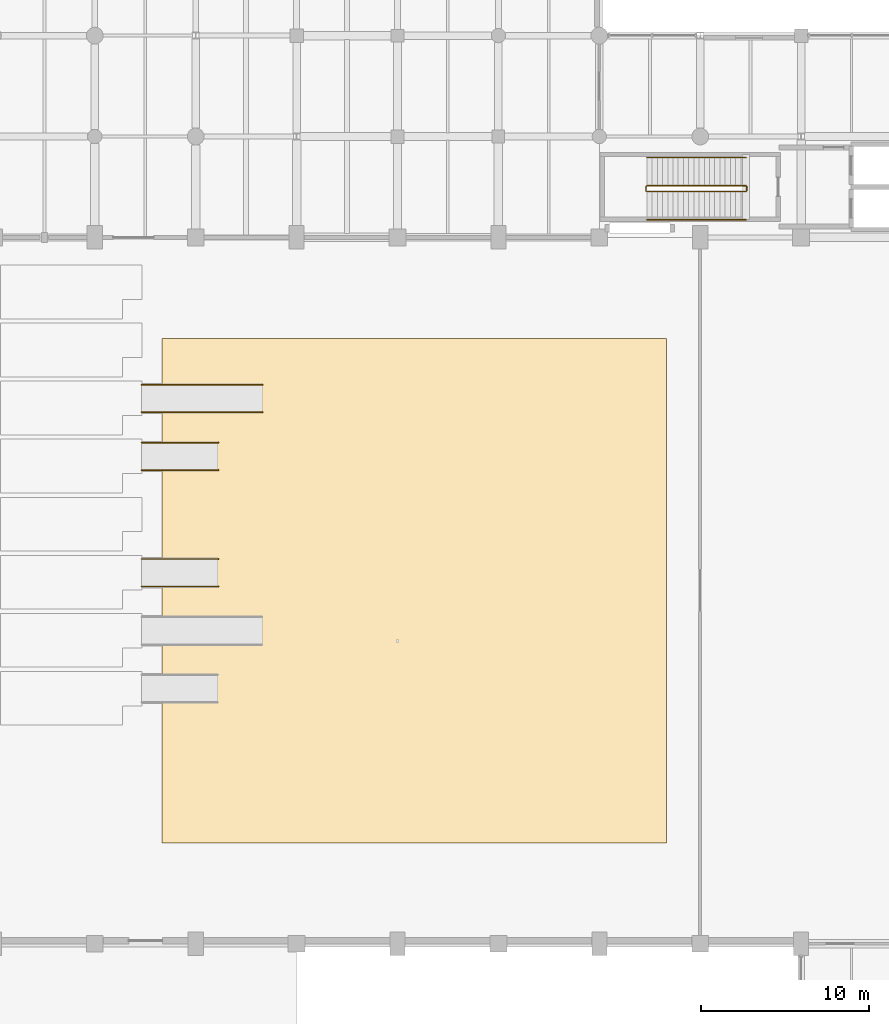
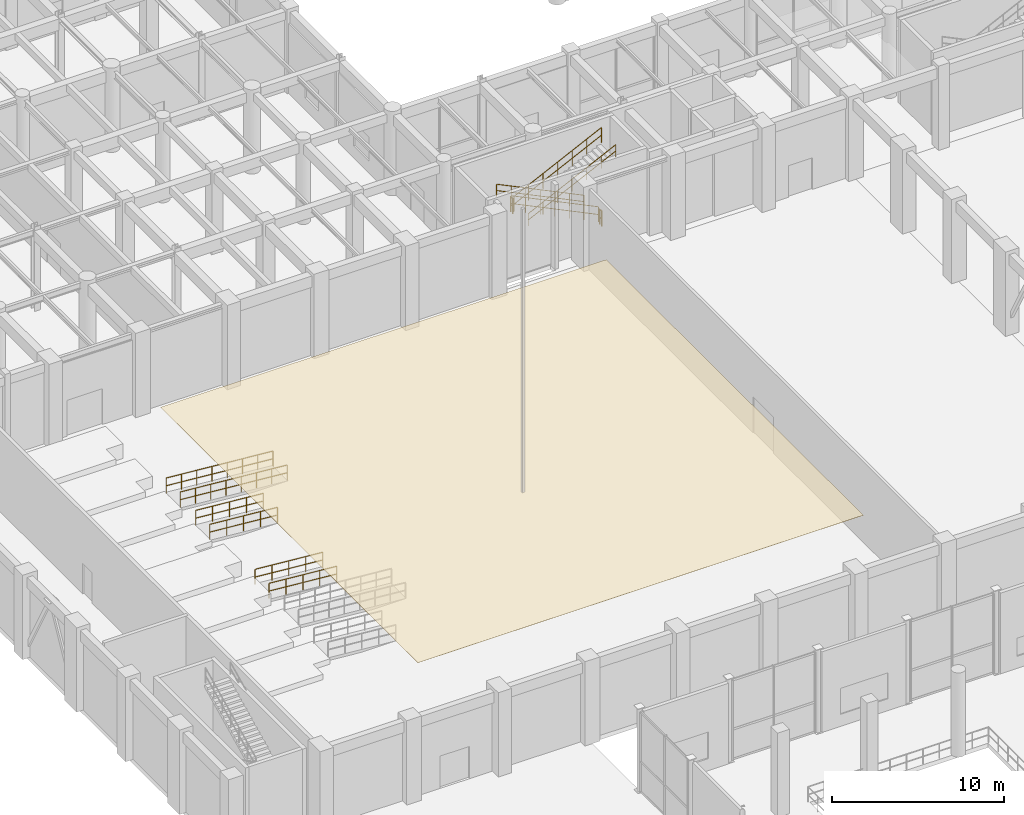
# One storey, part 102 of 106: 12 railings, 1 covering.
"""IFC4 building model written with IfcOpenShell, lengths in metres."""

from ifc_helpers import new_model, si_unit, direction, frame, origin, origin_2d, place, context, subcontext, project, spatial, polyline, circle, outline, extrude, material, layer, layer_set, type_object, element, save


model = new_model("IFC4")

# Units and contexts
model_context = context("Model", 3, precision=1e-05, world=origin(), true_north=direction((0.0, 1.0)))
body_context = subcontext(model_context, "Body", "Model", "MODEL_VIEW")
ifc_project = project(units=[si_unit("LENGTHUNIT", "METRE"), si_unit("AREAUNIT", "SQUARE_METRE"), si_unit("VOLUMEUNIT", "CUBIC_METRE"), si_unit("PLANEANGLEUNIT", "RADIAN"), si_unit("MASSUNIT", "GRAM", prefix="KILO"), si_unit("THERMODYNAMICTEMPERATUREUNIT", "KELVIN"), si_unit("POWERUNIT", "WATT")], contexts=[model_context])

# Site, building, storey
site_placement = place(None, origin())
site = spatial("IfcSite", under=ifc_project, at=site_placement, CompositionType="ELEMENT")
building_placement = place(site_placement, origin())
building = spatial("IfcBuilding", under=site, at=building_placement, Name="Phaisarnlok Congress Hotel", CompositionType="ELEMENT")
storey_placement = place(building_placement, origin())
storey = spatial("IfcBuildingStorey", under=building, at=storey_placement, Name="L00", CompositionType="ELEMENT", Elevation=0.0)

# Covering
ifc_material_1 = material(Name="Perforated Timber & Mineral-Fibre Acoustic Ceiling", Category="wood")
ifc_layer = layer(ifc_material_1, 0.01806640625, Name="Perforated Timber & Mineral-Fibre Acoustic Ceiling")
ifc_layer_set = layer_set([ifc_layer], Name="Perforated Timber & Mineral-Fibre Acoustic Ceiling")
covering_type = type_object("IfcCoveringType", Name="CLG-AC-18", PredefinedType="CEILING", material=ifc_layer_set)
covering_placement = place(storey_placement, frame((0.0, 0.0, 4.60009765625)))
element("IfcCovering", 1, at=covering_placement, inside=storey, type_object=covering_type, Name="Suspended ceiling CLG-01 (L00)", PredefinedType="CEILING", context=body_context, shape_type="SweptSolid", body=[
    extrude(outline(polyline([(46.0, 48.0), (16.0, 48.0), (16.0, 78.0), (46.0, 78.0), (46.0, 48.0)])), origin(), (0.0, 0.0, 1.0), 0.017822265625),
])

# Railings
ifc_material_2 = material(Name="Painted Galvanised Steel S275", Category="steel")
railing_type_1 = type_object("IfcRailingType", Name="RLG-STR-GUARD", PredefinedType="BALUSTRADE", material=ifc_material_2)
railing_1_placement = place(storey_placement, frame((50.719970703125, 87.070068359375, 0.14990234375)))
element("IfcRailing", 2, at=railing_1_placement, inside=storey, type_object=railing_type_1, Name="L00 ST-01 stair guard 1", PredefinedType="BALUSTRADE", context=body_context, shape_type="SweptSolid", body=[
    extrude(circle(Radius=0.02392578125, at=origin_2d()), frame((0.0, 0.0, 1.076171875), z_axis=(-0.900150285036, 0.0, 0.435579458135), x_axis=(0.0, -1.0, 0.0)), (0.0, 0.0, 1.0), 6.543212890625),
    extrude(circle(Radius=0.02392578125, at=origin_2d()), frame((0.0, 0.0, 0.52587890625), z_axis=(-0.900150285036, 0.0, 0.435579458135), x_axis=(0.0, -1.0, 0.0)), (0.0, 0.0, 1.0), 6.543212890625),
    extrude(circle(Radius=0.02099609375, at=origin_2d()), origin(), (0.0, 0.0, 1.0), 1.052001953125),
    extrude(circle(Radius=0.02099609375, at=origin_2d()), frame((-0.981689453125, 0.0, 0.47509765625)), (0.0, 0.0, 1.0), 1.052001953125),
    extrude(circle(Radius=0.02099609375, at=origin_2d()), frame((-1.96337890625, 0.0, 0.949951171875)), (0.0, 0.0, 1.0), 1.052001953125),
    extrude(circle(Radius=0.02099609375, at=origin_2d()), frame((-2.94482421875, 0.0, 1.425048828125)), (0.0, 0.0, 1.0), 1.052001953125),
    extrude(circle(Radius=0.02099609375, at=origin_2d()), frame((-3.926513671875, 0.0, 1.900146484375)), (0.0, 0.0, 1.0), 1.052001953125),
    extrude(circle(Radius=0.02099609375, at=origin_2d()), frame((-4.908203125, 0.0, 2.375)), (0.0, 0.0, 1.0), 1.052001953125),
    extrude(circle(Radius=0.02099609375, at=origin_2d()), frame((-5.889892578125, 0.0, 2.85009765625)), (0.0, 0.0, 1.0), 1.052001953125),
])
railing_2_placement = place(storey_placement, frame((44.780029296875, 87.02001953125, 3.0)))
element("IfcRailing", 3, at=railing_2_placement, inside=storey, type_object=railing_type_1, Name="L00 ST-01 stair guard 2", PredefinedType="BALUSTRADE", context=body_context, shape_type="SweptSolid", body=[
    extrude(circle(Radius=0.02392578125, at=origin_2d()), frame((0.0, 0.0, 1.076171875), z_axis=(0.0, -1.0, 0.0), x_axis=(1.0, 0.0, 0.0)), (0.0, 0.0, 1.0), 0.239990234375),
    extrude(circle(Radius=0.02392578125, at=origin_2d()), frame((0.0, 0.0, 0.52587890625), z_axis=(0.0, -1.0, 0.0), x_axis=(1.0, 0.0, 0.0)), (0.0, 0.0, 1.0), 0.239990234375),
    extrude(circle(Radius=0.02099609375, at=origin_2d()), origin(), (0.0, 0.0, 1.0), 1.052001953125),
    extrude(circle(Radius=0.02099609375, at=origin_2d()), frame((0.0, -0.239990234375, 0.0)), (0.0, 0.0, 1.0), 1.052001953125),
])
railing_3_placement = place(storey_placement, frame((44.830078125, 86.72998046875, 3.14990234375)))
element("IfcRailing", 4, at=railing_3_placement, inside=storey, type_object=railing_type_1, Name="L00 ST-01 stair guard 3", PredefinedType="BALUSTRADE", context=body_context, shape_type="SweptSolid", body=[
    extrude(circle(Radius=0.02392578125, at=origin_2d()), frame((0.0, 0.0, 1.076171875), z_axis=(0.900150285036, 0.0, 0.435579458135), x_axis=(0.0, 1.0, 0.0)), (0.0, 0.0, 1.0), 6.543212890625),
    extrude(circle(Radius=0.02392578125, at=origin_2d()), frame((0.0, 0.0, 0.52587890625), z_axis=(0.900150285036, 0.0, 0.435579458135), x_axis=(0.0, 1.0, 0.0)), (0.0, 0.0, 1.0), 6.543212890625),
    extrude(circle(Radius=0.02099609375, at=origin_2d()), origin(), (0.0, 0.0, 1.0), 1.052001953125),
    extrude(circle(Radius=0.02099609375, at=origin_2d()), frame((0.981689453125, 0.0, 0.47509765625)), (0.0, 0.0, 1.0), 1.052001953125),
    extrude(circle(Radius=0.02099609375, at=origin_2d()), frame((1.96337890625, 0.0, 0.949951171875)), (0.0, 0.0, 1.0), 1.052001953125),
    extrude(circle(Radius=0.02099609375, at=origin_2d()), frame((2.94482421875, 0.0, 1.425048828125)), (0.0, 0.0, 1.0), 1.052001953125),
    extrude(circle(Radius=0.02099609375, at=origin_2d()), frame((3.926513671875, 0.0, 1.900146484375)), (0.0, 0.0, 1.0), 1.052001953125),
    extrude(circle(Radius=0.02099609375, at=origin_2d()), frame((4.908203125, 0.0, 2.375)), (0.0, 0.0, 1.0), 1.052001953125),
    extrude(circle(Radius=0.02099609375, at=origin_2d()), frame((5.889892578125, 0.0, 2.85009765625)), (0.0, 0.0, 1.0), 1.052001953125),
])
railing_4_placement = place(storey_placement, frame((50.77001953125, 87.02001953125, 0.0)))
element("IfcRailing", 5, at=railing_4_placement, inside=storey, type_object=railing_type_1, Name="L00 ST-01 stair guard 4", PredefinedType="BALUSTRADE", context=body_context, shape_type="SweptSolid", body=[
    extrude(circle(Radius=0.02392578125, at=origin_2d()), frame((0.0, 0.0, 1.076171875), z_axis=(0.0, -1.0, 0.0), x_axis=(1.0, 0.0, 0.0)), (0.0, 0.0, 1.0), 0.239990234375),
    extrude(circle(Radius=0.02392578125, at=origin_2d()), frame((0.0, 0.0, 0.52587890625), z_axis=(0.0, -1.0, 0.0), x_axis=(1.0, 0.0, 0.0)), (0.0, 0.0, 1.0), 0.239990234375),
    extrude(circle(Radius=0.02099609375, at=origin_2d()), origin(), (0.0, 0.0, 1.0), 1.052001953125),
    extrude(circle(Radius=0.02099609375, at=origin_2d()), frame((0.0, -0.239990234375, 0.0)), (0.0, 0.0, 1.0), 1.052001953125),
])
for number, where, name in (
    (6, (14.780029296875, 70.159912109375, 0.3798828125), "Accessible ramp guard railing GD-03"),
    (7, (14.780029296875, 71.800048828125, 0.3798828125), "Accessible ramp guard railing GD-03"),
):
    element("IfcRailing", number, at=place(storey_placement, frame(where)), inside=storey, type_object=railing_type_1, Name=name, PredefinedType="BALUSTRADE", context=body_context, shape_type="SweptSolid", body=[
        extrude(circle(Radius=0.02392578125, at=origin_2d()), frame((0.0, 0.0, 1.076171875), z_axis=(0.996547965649, 0.0, -0.083018986752), x_axis=(0.0, 1.0, 0.0)), (0.0, 0.0, 1.0), 4.575927734375),
        extrude(circle(Radius=0.02392578125, at=origin_2d()), frame((0.0, 0.0, 0.52587890625), z_axis=(0.996547965649, 0.0, -0.083018986752), x_axis=(0.0, 1.0, 0.0)), (0.0, 0.0, 1.0), 4.575927734375),
        extrude(circle(Radius=0.02099609375, at=origin_2d()), origin(), (0.0, 0.0, 1.0), 1.052001953125),
        extrude(circle(Radius=0.02099609375, at=origin_2d()), frame((1.14013671875, 0.0, -0.094970703125)), (0.0, 0.0, 1.0), 1.052001953125),
        extrude(circle(Radius=0.02099609375, at=origin_2d()), frame((2.280029296875, 0.0, -0.18994140625)), (0.0, 0.0, 1.0), 1.052001953125),
        extrude(circle(Radius=0.02099609375, at=origin_2d()), frame((3.419921875, 0.0, -0.284912109375)), (0.0, 0.0, 1.0), 1.052001953125),
        extrude(circle(Radius=0.02099609375, at=origin_2d()), frame((4.56005859375, 0.0, -0.3798828125)), (0.0, 0.0, 1.0), 1.052001953125),
    ])
for number, where, name in (
    (8, (14.780029296875, 73.60009765625, 0.60009765625), "Accessible ramp guard railing GD-03"),
    (9, (14.780029296875, 75.239990234375, 0.60009765625), "Accessible ramp guard railing GD-03"),
):
    element("IfcRailing", number, at=place(storey_placement, frame(where)), inside=storey, type_object=railing_type_1, Name=name, PredefinedType="BALUSTRADE", context=body_context, shape_type="SweptSolid", body=[
        extrude(circle(Radius=0.02392578125, at=origin_2d()), frame((0.0, 0.0, 1.076171875), z_axis=(0.996544592923, 0.0, -0.083059462528), x_axis=(0.0, 1.0, 0.0)), (0.0, 0.0, 1.0), 7.224853515625),
        extrude(circle(Radius=0.02392578125, at=origin_2d()), frame((0.0, 0.0, 0.52587890625), z_axis=(0.996544592923, 0.0, -0.083059462528), x_axis=(0.0, 1.0, 0.0)), (0.0, 0.0, 1.0), 7.224853515625),
        extrude(circle(Radius=0.02099609375, at=origin_2d()), origin(), (0.0, 0.0, 1.0), 1.052001953125),
        extrude(circle(Radius=0.02099609375, at=origin_2d()), frame((1.028564453125, 0.0, -0.085693359375)), (0.0, 0.0, 1.0), 1.052001953125),
        extrude(circle(Radius=0.02099609375, at=origin_2d()), frame((2.05712890625, 0.0, -0.17138671875)), (0.0, 0.0, 1.0), 1.052001953125),
        extrude(circle(Radius=0.02099609375, at=origin_2d()), frame((3.085693359375, 0.0, -0.257080078125)), (0.0, 0.0, 1.0), 1.052001953125),
        extrude(circle(Radius=0.02099609375, at=origin_2d()), frame((4.1142578125, 0.0, -0.343017578125)), (0.0, 0.0, 1.0), 1.052001953125),
        extrude(circle(Radius=0.02099609375, at=origin_2d()), frame((5.142822265625, 0.0, -0.4287109375)), (0.0, 0.0, 1.0), 1.052001953125),
        extrude(circle(Radius=0.02099609375, at=origin_2d()), frame((6.17138671875, 0.0, -0.514404296875)), (0.0, 0.0, 1.0), 1.052001953125),
        extrude(circle(Radius=0.02099609375, at=origin_2d()), frame((7.199951171875, 0.0, -0.60009765625)), (0.0, 0.0, 1.0), 1.052001953125),
    ])
for number, where, name in (
    (10, (14.780029296875, 63.239990234375, 0.3798828125), "Accessible ramp guard railing GD-03"),
    (11, (14.780029296875, 64.8798828125, 0.3798828125), "Accessible ramp guard railing GD-03"),
):
    element("IfcRailing", number, at=place(storey_placement, frame(where)), inside=storey, type_object=railing_type_1, Name=name, PredefinedType="BALUSTRADE", context=body_context, shape_type="SweptSolid", body=[
        extrude(circle(Radius=0.02392578125, at=origin_2d()), frame((0.0, 0.0, 1.076171875), z_axis=(0.996547965649, 0.0, -0.083018986752), x_axis=(0.0, 1.0, 0.0)), (0.0, 0.0, 1.0), 4.575927734375),
        extrude(circle(Radius=0.02392578125, at=origin_2d()), frame((0.0, 0.0, 0.52587890625), z_axis=(0.996547965649, 0.0, -0.083018986752), x_axis=(0.0, 1.0, 0.0)), (0.0, 0.0, 1.0), 4.575927734375),
        extrude(circle(Radius=0.02099609375, at=origin_2d()), origin(), (0.0, 0.0, 1.0), 1.052001953125),
        extrude(circle(Radius=0.02099609375, at=origin_2d()), frame((1.14013671875, 0.0, -0.094970703125)), (0.0, 0.0, 1.0), 1.052001953125),
        extrude(circle(Radius=0.02099609375, at=origin_2d()), frame((2.280029296875, 0.0, -0.18994140625)), (0.0, 0.0, 1.0), 1.052001953125),
        extrude(circle(Radius=0.02099609375, at=origin_2d()), frame((3.419921875, 0.0, -0.284912109375)), (0.0, 0.0, 1.0), 1.052001953125),
        extrude(circle(Radius=0.02099609375, at=origin_2d()), frame((4.56005859375, 0.0, -0.3798828125)), (0.0, 0.0, 1.0), 1.052001953125),
    ])
ifc_material_3 = material(Name="Brushed Stainless Steel Grade 304", Category="steel")
railing_type_2 = type_object("IfcRailingType", Name="RLG-STR-HRAIL", PredefinedType="HANDRAIL", material=ifc_material_3)
railing_5_placement = place(storey_placement, frame((50.719970703125, 88.75, 0.14990234375)))
element("IfcRailing", 12, at=railing_5_placement, inside=storey, type_object=railing_type_2, Name="L00 ST-01 stair handrail 1", PredefinedType="HANDRAIL", context=body_context, shape_type="SweptSolid", body=[
    extrude(circle(Radius=0.02392578125, at=origin_2d()), frame((0.0, 0.0, 0.8759765625), z_axis=(-0.900150285036, 0.0, 0.435579458135), x_axis=(0.0, -1.0, 0.0)), (0.0, 0.0, 1.0), 6.543212890625),
    extrude(circle(Radius=0.02392578125, at=origin_2d()), frame((0.0, 0.0, 0.42578125), z_axis=(-0.900150285036, 0.0, 0.435579458135), x_axis=(0.0, -1.0, 0.0)), (0.0, 0.0, 1.0), 6.543212890625),
    extrude(circle(Radius=0.02099609375, at=origin_2d()), origin(), (0.0, 0.0, 1.0), 0.851806640625),
    extrude(circle(Radius=0.02099609375, at=origin_2d()), frame((-0.981689453125, 0.0, 0.47509765625)), (0.0, 0.0, 1.0), 0.851806640625),
    extrude(circle(Radius=0.02099609375, at=origin_2d()), frame((-1.96337890625, 0.0, 0.949951171875)), (0.0, 0.0, 1.0), 0.851806640625),
    extrude(circle(Radius=0.02099609375, at=origin_2d()), frame((-2.94482421875, 0.0, 1.425048828125)), (0.0, 0.0, 1.0), 0.851806640625),
    extrude(circle(Radius=0.02099609375, at=origin_2d()), frame((-3.926513671875, 0.0, 1.900146484375)), (0.0, 0.0, 1.0), 0.851806640625),
    extrude(circle(Radius=0.02099609375, at=origin_2d()), frame((-4.908203125, 0.0, 2.375)), (0.0, 0.0, 1.0), 0.851806640625),
    extrude(circle(Radius=0.02099609375, at=origin_2d()), frame((-5.889892578125, 0.0, 2.85009765625)), (0.0, 0.0, 1.0), 0.851806640625),
])
railing_6_placement = place(storey_placement, frame((44.830078125, 85.050048828125, 3.14990234375)))
element("IfcRailing", 13, at=railing_6_placement, inside=storey, type_object=railing_type_2, Name="L00 ST-01 stair handrail 2", PredefinedType="HANDRAIL", context=body_context, shape_type="SweptSolid", body=[
    extrude(circle(Radius=0.02392578125, at=origin_2d()), frame((0.0, 0.0, 0.8759765625), z_axis=(0.900150285036, 0.0, 0.435579458135), x_axis=(0.0, 1.0, 0.0)), (0.0, 0.0, 1.0), 6.543212890625),
    extrude(circle(Radius=0.02392578125, at=origin_2d()), frame((0.0, 0.0, 0.42578125), z_axis=(0.900150285036, 0.0, 0.435579458135), x_axis=(0.0, 1.0, 0.0)), (0.0, 0.0, 1.0), 6.543212890625),
    extrude(circle(Radius=0.02099609375, at=origin_2d()), origin(), (0.0, 0.0, 1.0), 0.851806640625),
    extrude(circle(Radius=0.02099609375, at=origin_2d()), frame((0.981689453125, 0.0, 0.47509765625)), (0.0, 0.0, 1.0), 0.851806640625),
    extrude(circle(Radius=0.02099609375, at=origin_2d()), frame((1.96337890625, 0.0, 0.949951171875)), (0.0, 0.0, 1.0), 0.851806640625),
    extrude(circle(Radius=0.02099609375, at=origin_2d()), frame((2.94482421875, 0.0, 1.425048828125)), (0.0, 0.0, 1.0), 0.851806640625),
    extrude(circle(Radius=0.02099609375, at=origin_2d()), frame((3.926513671875, 0.0, 1.900146484375)), (0.0, 0.0, 1.0), 0.851806640625),
    extrude(circle(Radius=0.02099609375, at=origin_2d()), frame((4.908203125, 0.0, 2.375)), (0.0, 0.0, 1.0), 0.851806640625),
    extrude(circle(Radius=0.02099609375, at=origin_2d()), frame((5.889892578125, 0.0, 2.85009765625)), (0.0, 0.0, 1.0), 0.851806640625),
])

save(model, "model.ifc")
